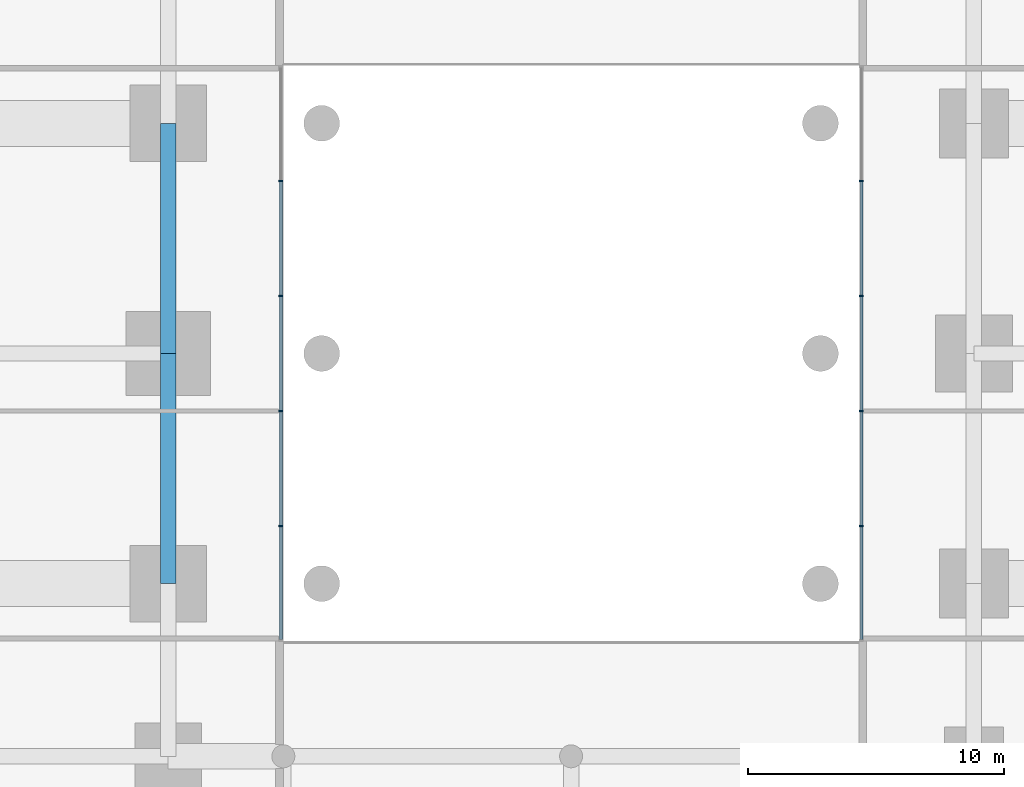
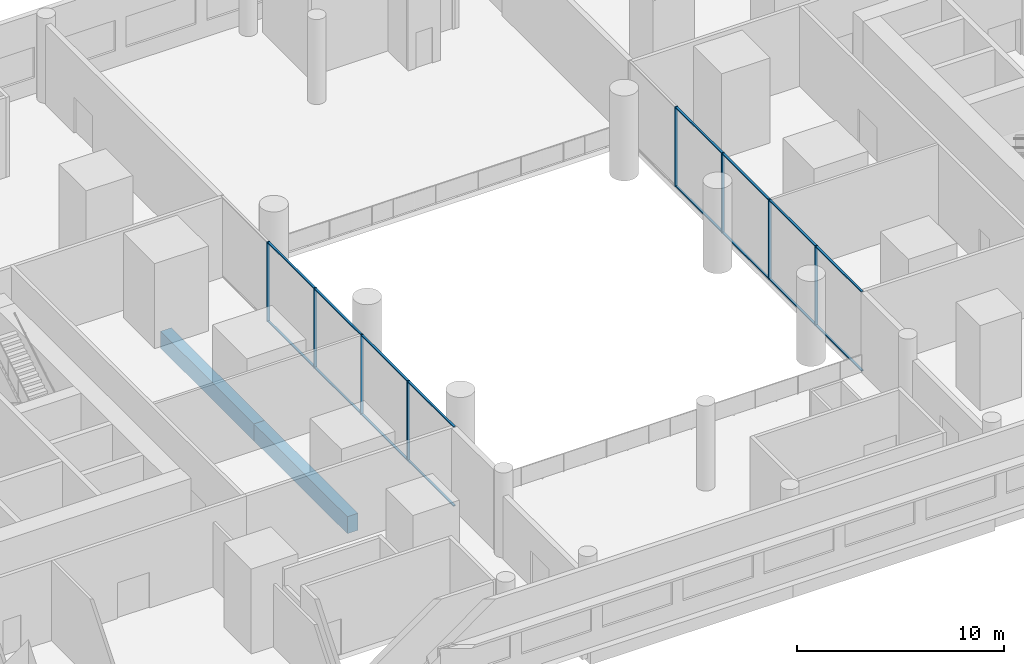
# One storey, part 3 of 20: 24 members, 2 beams, 2 elements without a shape of their own.
"""IFC4 building model written with IfcOpenShell, lengths in metres."""

from ifc_helpers import new_model, si_unit, direction, frame, origin, origin_2d, place, context, subcontext, project, spatial, rectangle, extrude, material, layer, layer_set, material_profile, profile_set, type_object, element, aggregate, save


model = new_model("IFC4")

# Units and contexts
model_context = context("Model", 3, precision=1e-05, world=origin(), true_north=direction((0.0, 1.0)))
body_context = subcontext(model_context, "Body", "Model", "MODEL_VIEW")
ifc_project = project(units=[si_unit("LENGTHUNIT", "METRE"), si_unit("AREAUNIT", "SQUARE_METRE"), si_unit("VOLUMEUNIT", "CUBIC_METRE"), si_unit("PLANEANGLEUNIT", "RADIAN"), si_unit("MASSUNIT", "GRAM", prefix="KILO")], contexts=[model_context])

# Site, building, storey
site_placement = place(None, origin())
site = spatial("IfcSite", under=ifc_project, at=site_placement, CompositionType="ELEMENT")
building_placement = place(site_placement, origin())
building = spatial("IfcBuilding", under=site, at=building_placement, Name="Namib Vertical Campus", CompositionType="ELEMENT")
storey_placement = place(building_placement, frame((0.0, 0.0, 16.0)))
storey = spatial("IfcBuildingStorey", under=building, at=storey_placement, Name="L03", CompositionType="ELEMENT", Elevation=16.0)

# Curtain wall, members
ifc_material_1 = material(Name="Black aluminium curtain wall", Category="aluminium")
ifc_layer = layer(ifc_material_1, 0.199951171875)
ifc_layer_set = layer_set([ifc_layer], Name="Atrium screen curtain wall CW-AT")
curtain_wall_type = type_object("IfcCurtainWallType", Name="Atrium screen curtain wall CW-AT", PredefinedType="USERDEFINED", material=ifc_layer_set)
curtain_wall_1_placement = place(storey_placement, origin())
curtain_wall_1 = element("IfcCurtainWall", 1, at=curtain_wall_1_placement, inside=storey, type_object=curtain_wall_type, Name="Curtain wall CW-AT atrium A L03 1", ObjectType="CURTAIN WALL", PredefinedType="USERDEFINED")
ifc_material_2 = material(Name="Black anodised aluminium", Category="aluminium")
ifc_material_profile_1 = material_profile(ifc_material_2, rectangle(XDim=0.06005859375, YDim=0.159912109375, at=origin_2d()))
ifc_profile_set_1 = profile_set([ifc_material_profile_1], Name="Black anodised aluminium")
member_type_1 = type_object("IfcMemberType", Name="Curtain wall mullion 60x160", PredefinedType="MULLION", material=ifc_profile_set_1)
member_1_placement = place(storey_placement, frame((40.39990234375, 13.5, 0.0), z_axis=(0.0, 0.0, 1.0), x_axis=(0.0, 1.0, 0.0)))
member_1 = element("IfcMember", 2, at=member_1_placement, type_object=member_type_1, Name="CW-AT mullion 2", PredefinedType="MULLION", context=body_context, shape_type="SweptSolid", body=[
    extrude(rectangle(XDim=0.06005859375, YDim=0.159912109375, at=origin_2d()), origin(), (0.0, 0.0, 1.0), 4.699951171875),
])
member_2_placement = place(storey_placement, frame((40.39990234375, 18.0, 0.0), z_axis=(0.0, 0.0, 1.0), x_axis=(0.0, 1.0, 0.0)))
member_2 = element("IfcMember", 3, at=member_2_placement, type_object=member_type_1, Name="CW-AT mullion 3", PredefinedType="MULLION", context=body_context, shape_type="SweptSolid", body=[
    extrude(rectangle(XDim=0.06005859375, YDim=0.159912109375, at=origin_2d()), origin(), (0.0, 0.0, 1.0), 4.699951171875),
])
member_3_placement = place(storey_placement, frame((40.39990234375, 22.5, 0.0), z_axis=(0.0, 0.0, 1.0), x_axis=(0.0, 1.0, 0.0)))
member_3 = element("IfcMember", 4, at=member_3_placement, type_object=member_type_1, Name="CW-AT mullion 4", PredefinedType="MULLION", context=body_context, shape_type="SweptSolid", body=[
    extrude(rectangle(XDim=0.06005859375, YDim=0.159912109375, at=origin_2d()), origin(), (0.0, 0.0, 1.0), 4.699951171875),
])
member_4_placement = place(storey_placement, frame((40.39990234375, 27.0, 0.0), z_axis=(0.0, 0.0, 1.0), x_axis=(0.0, 1.0, 0.0)))
member_4 = element("IfcMember", 5, at=member_4_placement, type_object=member_type_1, Name="CW-AT mullion 5", PredefinedType="MULLION", context=body_context, shape_type="SweptSolid", body=[
    extrude(rectangle(XDim=0.06005859375, YDim=0.159912109375, at=origin_2d()), origin(), (0.0, 0.0, 1.0), 4.699951171875),
])

curtain_wall_2_placement = place(storey_placement, origin())
curtain_wall_2 = element("IfcCurtainWall", 6, at=curtain_wall_2_placement, inside=storey, type_object=curtain_wall_type, Name="Curtain wall CW-AT atrium B L03 1", ObjectType="CURTAIN WALL", PredefinedType="USERDEFINED")
member_5_placement = place(storey_placement, frame((63.10009765625, 13.5, 0.0), z_axis=(0.0, 0.0, 1.0), x_axis=(0.0, 1.0, 0.0)))
member_5 = element("IfcMember", 7, at=member_5_placement, type_object=member_type_1, Name="CW-AT mullion 2", PredefinedType="MULLION", context=body_context, shape_type="SweptSolid", body=[
    extrude(rectangle(XDim=0.06005859375, YDim=0.159912109375, at=origin_2d()), origin(), (0.0, 0.0, 1.0), 4.699951171875),
])
member_6_placement = place(storey_placement, frame((63.10009765625, 18.0, 0.0), z_axis=(0.0, 0.0, 1.0), x_axis=(0.0, 1.0, 0.0)))
member_6 = element("IfcMember", 8, at=member_6_placement, type_object=member_type_1, Name="CW-AT mullion 3", PredefinedType="MULLION", context=body_context, shape_type="SweptSolid", body=[
    extrude(rectangle(XDim=0.06005859375, YDim=0.159912109375, at=origin_2d()), origin(), (0.0, 0.0, 1.0), 4.699951171875),
])
member_7_placement = place(storey_placement, frame((63.10009765625, 22.5, 0.0), z_axis=(0.0, 0.0, 1.0), x_axis=(0.0, 1.0, 0.0)))
member_7 = element("IfcMember", 9, at=member_7_placement, type_object=member_type_1, Name="CW-AT mullion 4", PredefinedType="MULLION", context=body_context, shape_type="SweptSolid", body=[
    extrude(rectangle(XDim=0.06005859375, YDim=0.159912109375, at=origin_2d()), origin(), (0.0, 0.0, 1.0), 4.699951171875),
])
member_8_placement = place(storey_placement, frame((63.10009765625, 27.0, 0.0), z_axis=(0.0, 0.0, 1.0), x_axis=(0.0, 1.0, 0.0)))
member_8 = element("IfcMember", 10, at=member_8_placement, type_object=member_type_1, Name="CW-AT mullion 5", PredefinedType="MULLION", context=body_context, shape_type="SweptSolid", body=[
    extrude(rectangle(XDim=0.06005859375, YDim=0.159912109375, at=origin_2d()), origin(), (0.0, 0.0, 1.0), 4.699951171875),
])

# Member
ifc_material_3 = material(Name="Black anodised aluminium", Category="aluminium")
ifc_material_profile_2 = material_profile(ifc_material_3, rectangle(XDim=0.06005859375, YDim=0.1201171875, at=origin_2d()))
ifc_profile_set_2 = profile_set([ifc_material_profile_2], Name="Black anodised aluminium")
member_type_2 = type_object("IfcMemberType", Name="Curtain wall transom 60x120", PredefinedType="USERDEFINED", material=ifc_profile_set_2)
member_9_placement = place(storey_placement, frame((40.39990234375, 9.06005859375, 0.030029296875), z_axis=(0.0, 1.0, 0.0), x_axis=(0.0, 0.0, 1.0)))
member_9 = element("IfcMember", 11, at=member_9_placement, type_object=member_type_2, Name="CW-AT transom 1.1", ObjectType="TRANSOM", PredefinedType="USERDEFINED", context=body_context, shape_type="SweptSolid", body=[
    extrude(rectangle(XDim=0.06005859375, YDim=0.1201171875, at=origin_2d()), origin(), (0.0, 0.0, 1.0), 4.409912109375),
])

member_10_placement = place(storey_placement, frame((40.39990234375, 9.06005859375, 4.669921875), z_axis=(0.0, 1.0, 0.0), x_axis=(0.0, 0.0, 1.0)))
member_10 = element("IfcMember", 12, at=member_10_placement, type_object=member_type_2, Name="CW-AT transom 1.2", ObjectType="TRANSOM", PredefinedType="USERDEFINED", context=body_context, shape_type="SweptSolid", body=[
    extrude(rectangle(XDim=0.06005859375, YDim=0.1201171875, at=origin_2d()), origin(), (0.0, 0.0, 1.0), 4.409912109375),
])

member_11_placement = place(storey_placement, frame((40.39990234375, 13.530029296875, 0.030029296875), z_axis=(0.0, 1.0, 0.0), x_axis=(0.0, 0.0, 1.0)))
member_11 = element("IfcMember", 13, at=member_11_placement, type_object=member_type_2, Name="CW-AT transom 2.1", ObjectType="TRANSOM", PredefinedType="USERDEFINED", context=body_context, shape_type="SweptSolid", body=[
    extrude(rectangle(XDim=0.06005859375, YDim=0.1201171875, at=origin_2d()), origin(), (0.0, 0.0, 1.0), 4.43994140625),
])

member_12_placement = place(storey_placement, frame((40.39990234375, 13.530029296875, 4.669921875), z_axis=(0.0, 1.0, 0.0), x_axis=(0.0, 0.0, 1.0)))
member_12 = element("IfcMember", 14, at=member_12_placement, type_object=member_type_2, Name="CW-AT transom 2.2", ObjectType="TRANSOM", PredefinedType="USERDEFINED", context=body_context, shape_type="SweptSolid", body=[
    extrude(rectangle(XDim=0.06005859375, YDim=0.1201171875, at=origin_2d()), origin(), (0.0, 0.0, 1.0), 4.43994140625),
])

member_13_placement = place(storey_placement, frame((40.39990234375, 18.030029296875, 0.030029296875), z_axis=(0.0, 1.0, 0.0), x_axis=(0.0, 0.0, 1.0)))
member_13 = element("IfcMember", 15, at=member_13_placement, type_object=member_type_2, Name="CW-AT transom 3.1", ObjectType="TRANSOM", PredefinedType="USERDEFINED", context=body_context, shape_type="SweptSolid", body=[
    extrude(rectangle(XDim=0.06005859375, YDim=0.1201171875, at=origin_2d()), origin(), (0.0, 0.0, 1.0), 4.43994140625),
])

member_14_placement = place(storey_placement, frame((40.39990234375, 18.030029296875, 4.669921875), z_axis=(0.0, 1.0, 0.0), x_axis=(0.0, 0.0, 1.0)))
member_14 = element("IfcMember", 16, at=member_14_placement, type_object=member_type_2, Name="CW-AT transom 3.2", ObjectType="TRANSOM", PredefinedType="USERDEFINED", context=body_context, shape_type="SweptSolid", body=[
    extrude(rectangle(XDim=0.06005859375, YDim=0.1201171875, at=origin_2d()), origin(), (0.0, 0.0, 1.0), 4.43994140625),
])

member_15_placement = place(storey_placement, frame((40.39990234375, 22.530029296875, 0.030029296875), z_axis=(0.0, 1.0, 0.0), x_axis=(0.0, 0.0, 1.0)))
member_15 = element("IfcMember", 17, at=member_15_placement, type_object=member_type_2, Name="CW-AT transom 4.1", ObjectType="TRANSOM", PredefinedType="USERDEFINED", context=body_context, shape_type="SweptSolid", body=[
    extrude(rectangle(XDim=0.06005859375, YDim=0.1201171875, at=origin_2d()), origin(), (0.0, 0.0, 1.0), 4.43994140625),
])

member_16_placement = place(storey_placement, frame((40.39990234375, 22.530029296875, 4.669921875), z_axis=(0.0, 1.0, 0.0), x_axis=(0.0, 0.0, 1.0)))
member_16 = element("IfcMember", 18, at=member_16_placement, type_object=member_type_2, Name="CW-AT transom 4.2", ObjectType="TRANSOM", PredefinedType="USERDEFINED", context=body_context, shape_type="SweptSolid", body=[
    extrude(rectangle(XDim=0.06005859375, YDim=0.1201171875, at=origin_2d()), origin(), (0.0, 0.0, 1.0), 4.43994140625),
])

aggregate(curtain_wall_1, [member_1, member_2, member_3, member_4, member_9, member_10, member_11, member_12, member_13, member_14, member_15, member_16])

member_17_placement = place(storey_placement, frame((63.10009765625, 9.06005859375, 0.030029296875), z_axis=(0.0, 1.0, 0.0), x_axis=(0.0, 0.0, 1.0)))
member_17 = element("IfcMember", 19, at=member_17_placement, type_object=member_type_2, Name="CW-AT transom 1.1", ObjectType="TRANSOM", PredefinedType="USERDEFINED", context=body_context, shape_type="SweptSolid", body=[
    extrude(rectangle(XDim=0.06005859375, YDim=0.1201171875, at=origin_2d()), origin(), (0.0, 0.0, 1.0), 4.409912109375),
])

member_18_placement = place(storey_placement, frame((63.10009765625, 9.06005859375, 4.669921875), z_axis=(0.0, 1.0, 0.0), x_axis=(0.0, 0.0, 1.0)))
member_18 = element("IfcMember", 20, at=member_18_placement, type_object=member_type_2, Name="CW-AT transom 1.2", ObjectType="TRANSOM", PredefinedType="USERDEFINED", context=body_context, shape_type="SweptSolid", body=[
    extrude(rectangle(XDim=0.06005859375, YDim=0.1201171875, at=origin_2d()), origin(), (0.0, 0.0, 1.0), 4.409912109375),
])

member_19_placement = place(storey_placement, frame((63.10009765625, 13.530029296875, 0.030029296875), z_axis=(0.0, 1.0, 0.0), x_axis=(0.0, 0.0, 1.0)))
member_19 = element("IfcMember", 21, at=member_19_placement, type_object=member_type_2, Name="CW-AT transom 2.1", ObjectType="TRANSOM", PredefinedType="USERDEFINED", context=body_context, shape_type="SweptSolid", body=[
    extrude(rectangle(XDim=0.06005859375, YDim=0.1201171875, at=origin_2d()), origin(), (0.0, 0.0, 1.0), 4.43994140625),
])

member_20_placement = place(storey_placement, frame((63.10009765625, 13.530029296875, 4.669921875), z_axis=(0.0, 1.0, 0.0), x_axis=(0.0, 0.0, 1.0)))
member_20 = element("IfcMember", 22, at=member_20_placement, type_object=member_type_2, Name="CW-AT transom 2.2", ObjectType="TRANSOM", PredefinedType="USERDEFINED", context=body_context, shape_type="SweptSolid", body=[
    extrude(rectangle(XDim=0.06005859375, YDim=0.1201171875, at=origin_2d()), origin(), (0.0, 0.0, 1.0), 4.43994140625),
])

member_21_placement = place(storey_placement, frame((63.10009765625, 18.030029296875, 0.030029296875), z_axis=(0.0, 1.0, 0.0), x_axis=(0.0, 0.0, 1.0)))
member_21 = element("IfcMember", 23, at=member_21_placement, type_object=member_type_2, Name="CW-AT transom 3.1", ObjectType="TRANSOM", PredefinedType="USERDEFINED", context=body_context, shape_type="SweptSolid", body=[
    extrude(rectangle(XDim=0.06005859375, YDim=0.1201171875, at=origin_2d()), origin(), (0.0, 0.0, 1.0), 4.43994140625),
])

member_22_placement = place(storey_placement, frame((63.10009765625, 18.030029296875, 4.669921875), z_axis=(0.0, 1.0, 0.0), x_axis=(0.0, 0.0, 1.0)))
member_22 = element("IfcMember", 24, at=member_22_placement, type_object=member_type_2, Name="CW-AT transom 3.2", ObjectType="TRANSOM", PredefinedType="USERDEFINED", context=body_context, shape_type="SweptSolid", body=[
    extrude(rectangle(XDim=0.06005859375, YDim=0.1201171875, at=origin_2d()), origin(), (0.0, 0.0, 1.0), 4.43994140625),
])

member_23_placement = place(storey_placement, frame((63.10009765625, 22.530029296875, 0.030029296875), z_axis=(0.0, 1.0, 0.0), x_axis=(0.0, 0.0, 1.0)))
member_23 = element("IfcMember", 25, at=member_23_placement, type_object=member_type_2, Name="CW-AT transom 4.1", ObjectType="TRANSOM", PredefinedType="USERDEFINED", context=body_context, shape_type="SweptSolid", body=[
    extrude(rectangle(XDim=0.06005859375, YDim=0.1201171875, at=origin_2d()), origin(), (0.0, 0.0, 1.0), 4.43994140625),
])

member_24_placement = place(storey_placement, frame((63.10009765625, 22.530029296875, 4.669921875), z_axis=(0.0, 1.0, 0.0), x_axis=(0.0, 0.0, 1.0)))
member_24 = element("IfcMember", 26, at=member_24_placement, type_object=member_type_2, Name="CW-AT transom 4.2", ObjectType="TRANSOM", PredefinedType="USERDEFINED", context=body_context, shape_type="SweptSolid", body=[
    extrude(rectangle(XDim=0.06005859375, YDim=0.1201171875, at=origin_2d()), origin(), (0.0, 0.0, 1.0), 4.43994140625),
])

aggregate(curtain_wall_2, [member_5, member_6, member_7, member_8, member_17, member_18, member_19, member_20, member_21, member_22, member_23, member_24])

# Beams
ifc_material_4 = material(Name="Concrete C40/50", Category="concrete")
ifc_material_profile_3 = material_profile(ifc_material_4, rectangle(XDim=0.60009765625, YDim=1.0, at=origin_2d()))
ifc_profile_set_3 = profile_set([ifc_material_profile_3], Name="Concrete C40/50")
beam_type = type_object("IfcBeamType", Name="Podium ring beam RC 600x1000", PredefinedType="BEAM", material=ifc_profile_set_3)
for number, where, z_axis, x_axis, name in (
    (27, (36.0, 11.25, -0.800048828125), (0.0, 1.0, 0.0), (-1.0, 0.0, 0.0), "Beam B6 L03"),
    (28, (36.0, 20.25, -0.800048828125), (0.0, 1.0, 0.0), (-1.0, 0.0, 0.0), "Beam B6 L03"),
):
    element("IfcBeam", number, at=place(storey_placement, frame(where, z_axis=z_axis, x_axis=x_axis)), inside=storey, type_object=beam_type, Name=name, PredefinedType="BEAM", context=body_context, shape_type="SweptSolid", body=[
        extrude(rectangle(XDim=0.60009765625, YDim=1.0, at=origin_2d()), origin(), (0.0, 0.0, 1.0), 9.0),
    ])

save(model, "model.ifc")
